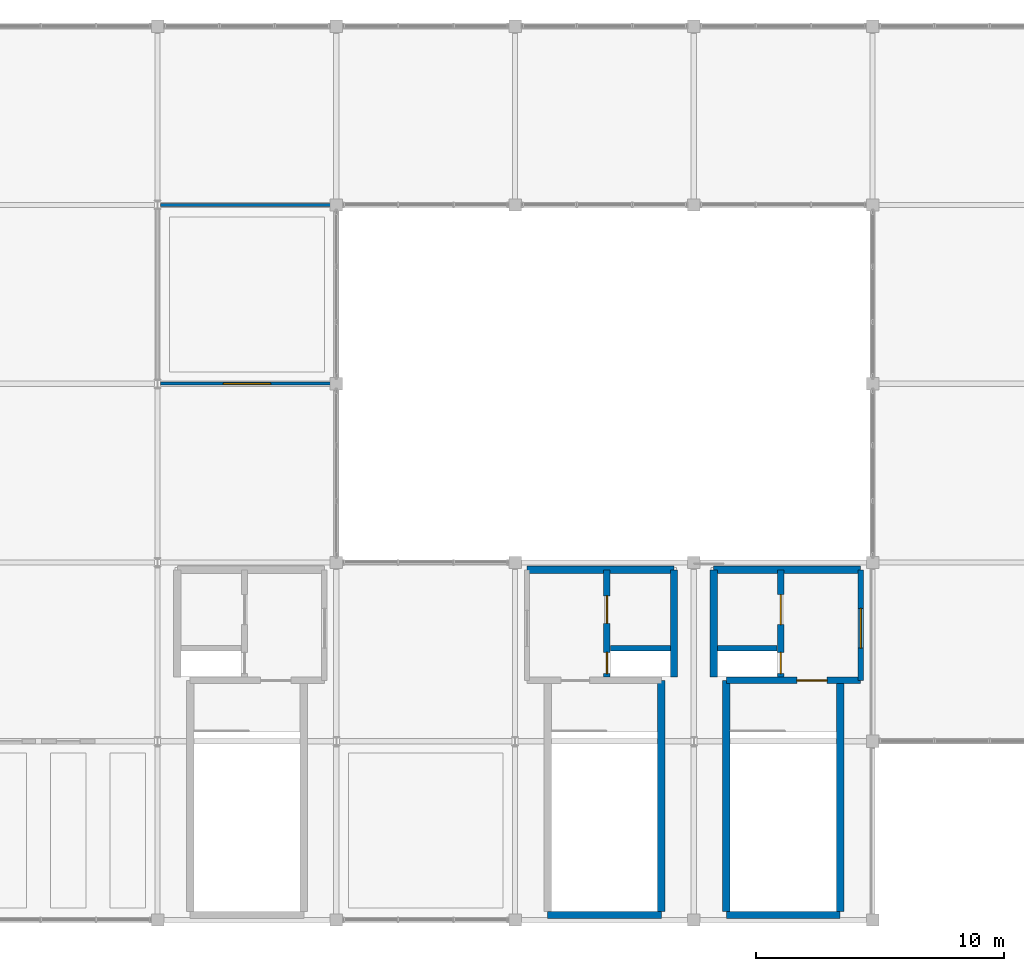
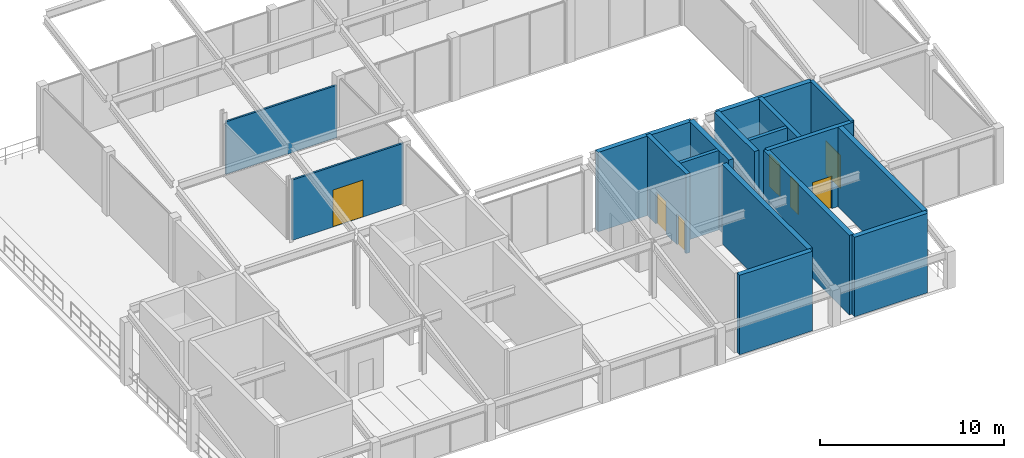
# One storey, part 5 of 16: 17 walls, 7 doors, 7 openings.
"""IFC4 building model written with IfcOpenShell, lengths in metres."""

from ifc_helpers import new_model, si_unit, direction, frame, frame_2d, origin, place, context, subcontext, project, spatial, rectangle, extrude, material, layer, layer_set, type_object, element, fill, save


model = new_model("IFC4")

# Units and contexts
model_context = context("Model", 3, precision=1e-05, world=origin(), true_north=direction((0.0, 1.0)))
body_context = subcontext(model_context, "Body", "Model", "MODEL_VIEW")
ifc_project = project(units=[si_unit("LENGTHUNIT", "METRE"), si_unit("AREAUNIT", "SQUARE_METRE"), si_unit("VOLUMEUNIT", "CUBIC_METRE"), si_unit("PLANEANGLEUNIT", "RADIAN"), si_unit("MASSUNIT", "GRAM", prefix="KILO")], contexts=[model_context])

# Site, building, storey
site_placement = place(None, origin())
site = spatial("IfcSite", under=ifc_project, at=site_placement, CompositionType="ELEMENT")
building_placement = place(site_placement, origin())
building = spatial("IfcBuilding", under=site, at=building_placement, Name="Sillqori Civic Hall", CompositionType="ELEMENT")
storey_placement = place(building_placement, frame((0.0, 0.0, 25.800048828125)))
storey = spatial("IfcBuildingStorey", under=building, at=storey_placement, Name="L07", CompositionType="ELEMENT", Elevation=25.800048828125)

# Walls
ifc_material_1 = material(Name="Concrete C35/45 (H35)", Category="concrete")
ifc_layer_1 = layer(ifc_material_1, 0.219970703125)
ifc_layer_set_1 = layer_set([ifc_layer_1], Name="Concrete C35/45 (H35)")
wall_type_1 = type_object("IfcWallType", Name="CW-SHR-220", PredefinedType="SHEAR", material=ifc_layer_set_1)
for number, where, z_axis, x_axis, name in (
    (1, (83.050048828125, 90.14990234375, 0.0), (0.0, 0.0, 1.0), (1.0, 0.0, 0.0), "L07 C7 Lift-riser divider wall"),
    (2, (87.35009765625, 90.14990234375, 0.0), (0.0, 0.0, 1.0), (1.0, 0.0, 0.0), "L07 C8 Lift-riser divider wall"),
):
    element("IfcWall", number, at=place(storey_placement, frame(where, z_axis=z_axis, x_axis=x_axis)), inside=storey, type_object=wall_type_1, Name=name, PredefinedType="SHEAR", context=body_context, shape_type="SweptSolid", body=[
        extrude(rectangle(XDim=2.39990234375, YDim=0.219970703125, at=frame_2d((1.199951171875, 0.0))), origin(), (0.0, 0.0, 1.0), 5.260009765625),
    ])

# Wall, opening, door
wall_1_placement = place(storey_placement, frame((93.1201171875, 93.300048828125, 0.0), z_axis=(0.0, 0.0, 1.0), x_axis=(0.0, -1.0, 0.0)))
wall_1 = element("IfcWall", 3, at=wall_1_placement, inside=storey, type_object=wall_type_1, Name="L07 C8 firefighting lobby enclosure wall", PredefinedType="SHEAR", context=body_context, shape_type="SweptSolid", body=[
    extrude(rectangle(XDim=4.449951171875, YDim=0.219970703125, at=frame_2d((2.22509765625, 0.0))), origin(), (0.0, 0.0, 1.0), 5.260009765625),
])
opening_1_placement = place(wall_1_placement, frame((1.550048828125, 0.0, 0.0)))
opening_1 = element("IfcOpeningElement", 4, at=opening_1_placement, cuts=wall_1, Name="Opening FD-04", PredefinedType="OPENING", context=body_context, shape_type="SweptSolid", body=[
    extrude(rectangle(XDim=1.60009765625, YDim=2.199951171875, at=frame_2d((0.800048828125, 1.10009765625))), frame((0.0, 0.119873046875, 0.0), z_axis=(0.0, -1.0, 0.0), x_axis=(1.0, 0.0, 0.0)), (0.0, 0.0, 1.0), 0.239990234375),
])
ifc_material_2 = material(Name="Double-Leaf Firefighting Lobby Door", Category="steel")
door_type_1 = type_object("IfcDoorType", Name="FDR-LOB-160X220", OperationType="NOTDEFINED", PredefinedType="DOOR", material=ifc_material_2)
door_1_placement = place(opening_1_placement, origin())
door_1 = element("IfcDoor", 5, at=door_1_placement, inside=storey, type_object=door_type_1, Name="L07 C8 firefighting lobby exit door", OperationType="DOUBLE_DOOR_SINGLE_SWING", OverallHeight=2.199951171875, OverallWidth=1.60009765625, PredefinedType="DOOR", context=body_context, shape_type="SweptSolid", body=[
    extrude(rectangle(XDim=1.60009765625, YDim=2.199951171875, at=frame_2d((0.800048828125, 1.10009765625))), frame((0.0, 0.02490234375, 0.0), z_axis=(0.0, -1.0, 0.0), x_axis=(1.0, 0.0, 0.0)), (0.0, 0.0, 1.0), 0.050048828125),
])
fill(opening_1, door_1)

# Wall, openings, doors
ifc_layer_2 = layer(ifc_material_1, 0.260009765625)
ifc_layer_set_2 = layer_set([ifc_layer_2], Name="Concrete C35/45 (H35)")
wall_type_2 = type_object("IfcWallType", Name="CW-SHR-260", PredefinedType="SHEAR", material=ifc_layer_set_2)
wall_2_placement = place(storey_placement, frame((82.89990234375, 88.97998046875, 0.0), z_axis=(0.0, 0.0, 1.0), x_axis=(0.0, 1.0, 0.0)))
wall_2 = element("IfcWall", 6, at=wall_2_placement, inside=storey, type_object=wall_type_2, Name="L07 C7 Lift landing & riser front wall", PredefinedType="SHEAR", context=body_context, shape_type="SweptSolid", body=[
    extrude(rectangle(XDim=4.320068359375, YDim=0.260009765625, at=frame_2d((2.16015625, 0.0))), origin(), (0.0, 0.0, 1.0), 5.260009765625),
])
opening_2_placement = place(wall_2_placement, frame((2.169921875, 0.0, 0.0)))
opening_2 = element("IfcOpeningElement", 7, at=opening_2_placement, cuts=wall_2, Name="Opening LD-01", PredefinedType="OPENING", context=body_context, shape_type="SweptSolid", body=[
    extrude(rectangle(XDim=1.10009765625, YDim=2.14990234375, at=frame_2d((0.550048828125, 1.074951171875))), frame((0.0, 0.139892578125, 0.0), z_axis=(0.0, -1.0, 0.0), x_axis=(1.0, 0.0, 0.0)), (0.0, 0.0, 1.0), 0.280029296875),
])
opening_3_placement = place(wall_2_placement, frame((0.14501953125, 0.0, 0.0)))
opening_3 = element("IfcOpeningElement", 8, at=opening_3_placement, cuts=wall_2, Name="Opening FD-05", PredefinedType="OPENING", context=body_context, shape_type="SweptSolid", body=[
    extrude(rectangle(XDim=0.85009765625, YDim=2.050048828125, at=frame_2d((0.425048828125, 1.02490234375))), frame((0.0, 0.139892578125, 0.0), z_axis=(0.0, -1.0, 0.0), x_axis=(1.0, 0.0, 0.0)), (0.0, 0.0, 1.0), 0.280029296875),
])
ifc_material_3 = material(Name="Steel Riser Access Fire Door", Category="steel")
door_type_2 = type_object("IfcDoorType", Name="FDR-RSR-085X205", OperationType="NOTDEFINED", PredefinedType="DOOR", material=ifc_material_3)
door_2_placement = place(opening_3_placement, origin())
door_2 = element("IfcDoor", 9, at=door_2_placement, inside=storey, type_object=door_type_2, Name="L07 MEP riser C7 fire access door", OperationType="SINGLE_SWING_LEFT", OverallHeight=2.050048828125, OverallWidth=0.85009765625, PredefinedType="DOOR", context=body_context, shape_type="SweptSolid", body=[
    extrude(rectangle(XDim=0.85009765625, YDim=2.050048828125, at=frame_2d((0.425048828125, 1.02490234375))), frame((0.0, 0.02490234375, 0.0), z_axis=(0.0, -1.0, 0.0), x_axis=(1.0, 0.0, 0.0)), (0.0, 0.0, 1.0), 0.050048828125),
])
fill(opening_3, door_2)
ifc_material_4 = material(Name="Stainless Steel Lift Landing Door", Category="steel")
door_type_3 = type_object("IfcDoorType", Name="LDR-PASS-110X215", OperationType="NOTDEFINED", PredefinedType="DOOR", material=ifc_material_4)
door_3_placement = place(opening_2_placement, origin())
door_3 = element("IfcDoor", 10, at=door_3_placement, inside=storey, type_object=door_type_3, Name="L07 lift LF-04 sliding landing door", OperationType="DOUBLE_DOOR_SLIDING", OverallHeight=2.14990234375, OverallWidth=1.10009765625, PredefinedType="DOOR", context=body_context, shape_type="SweptSolid", body=[
    extrude(rectangle(XDim=1.10009765625, YDim=2.14990234375, at=frame_2d((0.550048828125, 1.074951171875))), frame((0.0, 0.02490234375, 0.0), z_axis=(0.0, -1.0, 0.0), x_axis=(1.0, 0.0, 0.0)), (0.0, 0.0, 1.0), 0.050048828125),
])
fill(opening_2, door_3)

# Wall, opening, door
wall_3_placement = place(storey_placement, frame((87.7099609375, 88.85009765625, 0.0), z_axis=(0.0, 0.0, 1.0), x_axis=(1.0, 0.0, 0.0)))
wall_3 = element("IfcWall", 11, at=wall_3_placement, inside=storey, type_object=wall_type_2, Name="L07 C8 Stair-lobby fire wall", PredefinedType="SHEAR", context=body_context, shape_type="SweptSolid", body=[
    extrude(rectangle(XDim=5.41015625, YDim=0.260009765625, at=frame_2d((2.705078125, 0.0))), origin(), (0.0, 0.0, 1.0), 5.260009765625),
])
opening_4_placement = place(wall_3_placement, frame((2.840087890625, 0.0, 0.0)))
opening_4 = element("IfcOpeningElement", 12, at=opening_4_placement, cuts=wall_3, Name="Opening FD-02", PredefinedType="OPENING", context=body_context, shape_type="SweptSolid", body=[
    extrude(rectangle(XDim=1.219970703125, YDim=2.14990234375, at=frame_2d((0.60986328125, 1.074951171875))), frame((0.0, 0.139892578125, 0.0), z_axis=(0.0, -1.0, 0.0), x_axis=(1.0, 0.0, 0.0)), (0.0, 0.0, 1.0), 0.280029296875),
])
ifc_material_5 = material(Name="Galvanized Steel Fire Door FD120S", Category="steel")
door_type_4 = type_object("IfcDoorType", Name="FDR-STR-122X215", OperationType="NOTDEFINED", PredefinedType="DOOR", material=ifc_material_5)
door_4_placement = place(opening_4_placement, origin())
door_4 = element("IfcDoor", 13, at=door_4_placement, inside=storey, type_object=door_type_4, Name="L07 stair ST-08 fire door", OperationType="SINGLE_SWING_RIGHT", OverallHeight=2.14990234375, OverallWidth=1.219970703125, PredefinedType="DOOR", context=body_context, shape_type="SweptSolid", body=[
    extrude(rectangle(XDim=1.219970703125, YDim=2.14990234375, at=frame_2d((0.60986328125, 1.074951171875))), frame((0.0, 0.02490234375, 0.0), z_axis=(0.0, -1.0, 0.0), x_axis=(1.0, 0.0, 0.0)), (0.0, 0.0, 1.0), 0.050048828125),
])
fill(opening_4, door_4)

# Wall, openings, doors
wall_4_placement = place(storey_placement, frame((89.89990234375, 93.300048828125, 0.0), z_axis=(0.0, 0.0, 1.0), x_axis=(0.0, -1.0, 0.0)))
wall_4 = element("IfcWall", 14, at=wall_4_placement, inside=storey, type_object=wall_type_2, Name="L07 C8 Lift landing & riser front wall", PredefinedType="SHEAR", context=body_context, shape_type="SweptSolid", body=[
    extrude(rectangle(XDim=4.320068359375, YDim=0.260009765625, at=frame_2d((2.16015625, 0.0))), origin(), (0.0, 0.0, 1.0), 5.260009765625),
])
opening_5_placement = place(wall_4_placement, frame((1.0, 0.0, 0.0)))
opening_5 = element("IfcOpeningElement", 15, at=opening_5_placement, cuts=wall_4, Name="Opening LD-02", PredefinedType="OPENING", context=body_context, shape_type="SweptSolid", body=[
    extrude(rectangle(XDim=1.199951171875, YDim=2.14990234375, at=frame_2d((0.60009765625, 1.074951171875))), frame((0.0, 0.139892578125, 0.0), z_axis=(0.0, -1.0, 0.0), x_axis=(1.0, 0.0, 0.0)), (0.0, 0.0, 1.0), 0.280029296875),
])
opening_6_placement = place(wall_4_placement, frame((3.324951171875, 0.0, 0.0)))
opening_6 = element("IfcOpeningElement", 16, at=opening_6_placement, cuts=wall_4, Name="Opening FD-05", PredefinedType="OPENING", context=body_context, shape_type="SweptSolid", body=[
    extrude(rectangle(XDim=0.85009765625, YDim=2.050048828125, at=frame_2d((0.425048828125, 1.02490234375))), frame((0.0, 0.139892578125, 0.0), z_axis=(0.0, -1.0, 0.0), x_axis=(1.0, 0.0, 0.0)), (0.0, 0.0, 1.0), 0.280029296875),
])
door_5_placement = place(opening_6_placement, origin())
door_5 = element("IfcDoor", 17, at=door_5_placement, inside=storey, type_object=door_type_2, Name="L07 MEP riser C8 fire access door", OperationType="SINGLE_SWING_LEFT", OverallHeight=2.050048828125, OverallWidth=0.85009765625, PredefinedType="DOOR", context=body_context, shape_type="SweptSolid", body=[
    extrude(rectangle(XDim=0.85009765625, YDim=2.050048828125, at=frame_2d((0.425048828125, 1.02490234375))), frame((0.0, 0.02490234375, 0.0), z_axis=(0.0, -1.0, 0.0), x_axis=(1.0, 0.0, 0.0)), (0.0, 0.0, 1.0), 0.050048828125),
])
fill(opening_6, door_5)
ifc_material_6 = material(Name="Firefighting Lift Landing Door", Category="steel")
door_type_5 = type_object("IfcDoorType", Name="LDR-FIRE-120X215", OperationType="NOTDEFINED", PredefinedType="DOOR", material=ifc_material_6)
door_6_placement = place(opening_5_placement, origin())
door_6 = element("IfcDoor", 18, at=door_6_placement, inside=storey, type_object=door_type_5, Name="L07 lift LF-02 sliding landing door", OperationType="DOUBLE_DOOR_SLIDING", OverallHeight=2.14990234375, OverallWidth=1.199951171875, PredefinedType="DOOR", context=body_context, shape_type="SweptSolid", body=[
    extrude(rectangle(XDim=1.199951171875, YDim=2.14990234375, at=frame_2d((0.60009765625, 1.074951171875))), frame((0.0, 0.02490234375, 0.0), z_axis=(0.0, -1.0, 0.0), x_axis=(1.0, 0.0, 0.0)), (0.0, 0.0, 1.0), 0.050048828125),
])
fill(opening_5, door_6)

# Walls
ifc_layer_3 = layer(ifc_material_1, 0.300048828125)
ifc_layer_set_3 = layer_set([ifc_layer_3], Name="Concrete C35/45 (H35)")
wall_type_3 = type_object("IfcWallType", Name="CW-SHR-300", PredefinedType="SHEAR", material=ifc_layer_set_3)
wall_5_placement = place(storey_placement, frame((80.510009765625, 79.39990234375, 0.0), z_axis=(0.0, 0.0, 1.0), x_axis=(1.0, 0.0, 0.0)))
element("IfcWall", 19, at=wall_5_placement, inside=storey, type_object=wall_type_3, Name="L07 C7 Stair south shear wall", PredefinedType="SHEAR", context=body_context, shape_type="SweptSolid", body=[
    extrude(rectangle(XDim=4.580078125, YDim=0.300048828125, at=frame_2d((2.2900390625, 0.0))), origin(), (0.0, 0.0, 1.0), 5.260009765625),
])
wall_6_placement = place(storey_placement, frame((85.090087890625, 79.550048828125, 0.0), z_axis=(0.0, 0.0, 1.0), x_axis=(0.0, 1.0, 0.0)))
element("IfcWall", 20, at=wall_6_placement, inside=storey, type_object=wall_type_3, Name="L07 C7 Stair east shear wall", PredefinedType="SHEAR", context=body_context, shape_type="SweptSolid", body=[
    extrude(rectangle(XDim=9.300048828125, YDim=0.300048828125, at=frame_2d((4.64990234375, 0.0))), origin(), (0.0, 0.0, 1.0), 5.260009765625),
])
wall_7_placement = place(storey_placement, frame((85.60009765625, 88.97998046875, 0.0), z_axis=(0.0, 0.0, 1.0), x_axis=(0.0, 1.0, 0.0)))
element("IfcWall", 21, at=wall_7_placement, inside=storey, type_object=wall_type_3, Name="L07 C7 Lift shaft east shear wall", PredefinedType="SHEAR", context=body_context, shape_type="SweptSolid", body=[
    extrude(rectangle(XDim=4.320068359375, YDim=0.300048828125, at=frame_2d((2.16015625, 0.0))), origin(), (0.0, 0.0, 1.0), 5.260009765625),
])
wall_8_placement = place(storey_placement, frame((79.679931640625, 93.300048828125, 0.0), z_axis=(0.0, 0.0, 1.0), x_axis=(1.0, 0.0, 0.0)))
element("IfcWall", 22, at=wall_8_placement, inside=storey, type_object=wall_type_3, Name="L07 C7 Core north shear wall", PredefinedType="SHEAR", context=body_context, shape_type="SweptSolid", body=[
    extrude(rectangle(XDim=5.920166015625, YDim=0.300048828125, at=frame_2d((2.9599609375, 0.0))), origin(), (0.0, 0.0, 1.0), 5.260009765625),
])
wall_9_placement = place(storey_placement, frame((87.7099609375, 79.39990234375, 0.0), z_axis=(0.0, 0.0, 1.0), x_axis=(1.0, 0.0, 0.0)))
element("IfcWall", 23, at=wall_9_placement, inside=storey, type_object=wall_type_3, Name="L07 C8 Stair south shear wall", PredefinedType="SHEAR", context=body_context, shape_type="SweptSolid", body=[
    extrude(rectangle(XDim=4.580078125, YDim=0.300048828125, at=frame_2d((2.2900390625, 0.0))), origin(), (0.0, 0.0, 1.0), 5.260009765625),
])
for number, where, z_axis, x_axis, name in (
    (24, (87.7099609375, 79.550048828125, 0.0), (0.0, 0.0, 1.0), (0.0, 1.0, 0.0), "L07 C8 Stair west shear wall"),
    (25, (92.2900390625, 79.550048828125, 0.0), (0.0, 0.0, 1.0), (0.0, 1.0, 0.0), "L07 C8 Stair east shear wall"),
):
    element("IfcWall", number, at=place(storey_placement, frame(where, z_axis=z_axis, x_axis=x_axis)), inside=storey, type_object=wall_type_3, Name=name, PredefinedType="SHEAR", context=body_context, shape_type="SweptSolid", body=[
        extrude(rectangle(XDim=9.300048828125, YDim=0.300048828125, at=frame_2d((4.64990234375, 0.0))), origin(), (0.0, 0.0, 1.0), 5.260009765625),
    ])
wall_10_placement = place(storey_placement, frame((87.199951171875, 88.97998046875, 0.0), z_axis=(0.0, 0.0, 1.0), x_axis=(0.0, 1.0, 0.0)))
element("IfcWall", 26, at=wall_10_placement, inside=storey, type_object=wall_type_3, Name="L07 C8 Lift shaft west shear wall", PredefinedType="SHEAR", context=body_context, shape_type="SweptSolid", body=[
    extrude(rectangle(XDim=4.320068359375, YDim=0.300048828125, at=frame_2d((2.16015625, 0.0))), origin(), (0.0, 0.0, 1.0), 5.260009765625),
])
wall_11_placement = place(storey_placement, frame((87.199951171875, 93.300048828125, 0.0), z_axis=(0.0, 0.0, 1.0), x_axis=(1.0, 0.0, 0.0)))
element("IfcWall", 27, at=wall_11_placement, inside=storey, type_object=wall_type_3, Name="L07 C8 Core north shear wall", PredefinedType="SHEAR", context=body_context, shape_type="SweptSolid", body=[
    extrude(rectangle(XDim=5.920166015625, YDim=0.300048828125, at=frame_2d((2.9599609375, 0.0))), origin(), (0.0, 0.0, 1.0), 5.260009765625),
])

# Wall, opening, door
ifc_material_7 = material(Name="Acoustic Steel-Stud Partition 120", Category="steel")
ifc_layer_4 = layer(ifc_material_7, 0.1201171875)
ifc_layer_set_4 = layer_set([ifc_layer_4], Name="Acoustic Steel-Stud Partition 120")
wall_type_4 = type_object("IfcWallType", Name="PT-GYP-120", PredefinedType="PARTITIONING", material=ifc_layer_set_4)
wall_12_placement = place(storey_placement, frame((71.8798828125, 100.800048828125, 0.0), z_axis=(0.0, 0.0, 1.0), x_axis=(-1.0, 0.0, 0.0)))
wall_12 = element("IfcWall", 28, at=wall_12_placement, inside=storey, type_object=wall_type_4, Name="Civic Observatory Panorama Gallery partition S1", PredefinedType="PARTITIONING", context=body_context, shape_type="SweptSolid", body=[
    extrude(rectangle(XDim=6.9599609375, YDim=0.1201171875, at=frame_2d((3.47998046875, 0.0))), origin(), (0.0, 0.0, 1.0), 4.0),
])
opening_7_placement = place(wall_12_placement, frame((2.530029296875, 0.0, 0.0)))
opening_7 = element("IfcOpeningElement", 29, at=opening_7_placement, cuts=wall_12, Name="Opening ID-11", PredefinedType="OPENING", context=body_context, shape_type="SweptSolid", body=[
    extrude(rectangle(XDim=1.89990234375, YDim=2.449951171875, at=frame_2d((0.949951171875, 1.22509765625))), frame((0.0, 0.070068359375, 0.0), z_axis=(0.0, -1.0, 0.0), x_axis=(1.0, 0.0, 0.0)), (0.0, 0.0, 1.0), 0.14013671875),
])
ifc_material_8 = material(Name="Exhibition Gallery Portal Door", Category="aluminium")
door_type_6 = type_object("IfcDoorType", Name="IDR-EXH-190X245", OperationType="NOTDEFINED", PredefinedType="DOOR", material=ifc_material_8)
door_7_placement = place(opening_7_placement, origin())
door_7 = element("IfcDoor", 30, at=door_7_placement, inside=storey, type_object=door_type_6, Name="Civic Observatory Panorama Gallery entrance door", OperationType="DOUBLE_DOOR_SINGLE_SWING", OverallHeight=2.449951171875, OverallWidth=1.89990234375, PredefinedType="DOOR", context=body_context, shape_type="SweptSolid", body=[
    extrude(rectangle(XDim=1.89990234375, YDim=2.449951171875, at=frame_2d((0.949951171875, 1.22509765625))), frame((0.0, 0.02490234375, 0.0), z_axis=(0.0, -1.0, 0.0), x_axis=(1.0, 0.0, 0.0)), (0.0, 0.0, 1.0), 0.050048828125),
])
fill(opening_7, door_7)

# Wall
wall_13_placement = place(storey_placement, frame((64.919921875, 108.0, 0.0), z_axis=(0.0, 0.0, 1.0), x_axis=(1.0, 0.0, 0.0)))
element("IfcWall", 31, at=wall_13_placement, inside=storey, type_object=wall_type_4, Name="Civic Observatory Panorama Gallery partition N2", PredefinedType="PARTITIONING", context=body_context, shape_type="SweptSolid", body=[
    extrude(rectangle(XDim=6.9599609375, YDim=0.1201171875, at=frame_2d((3.47998046875, 0.0))), origin(), (0.0, 0.0, 1.0), 3.47998046875),
])

save(model, "model.ifc")
